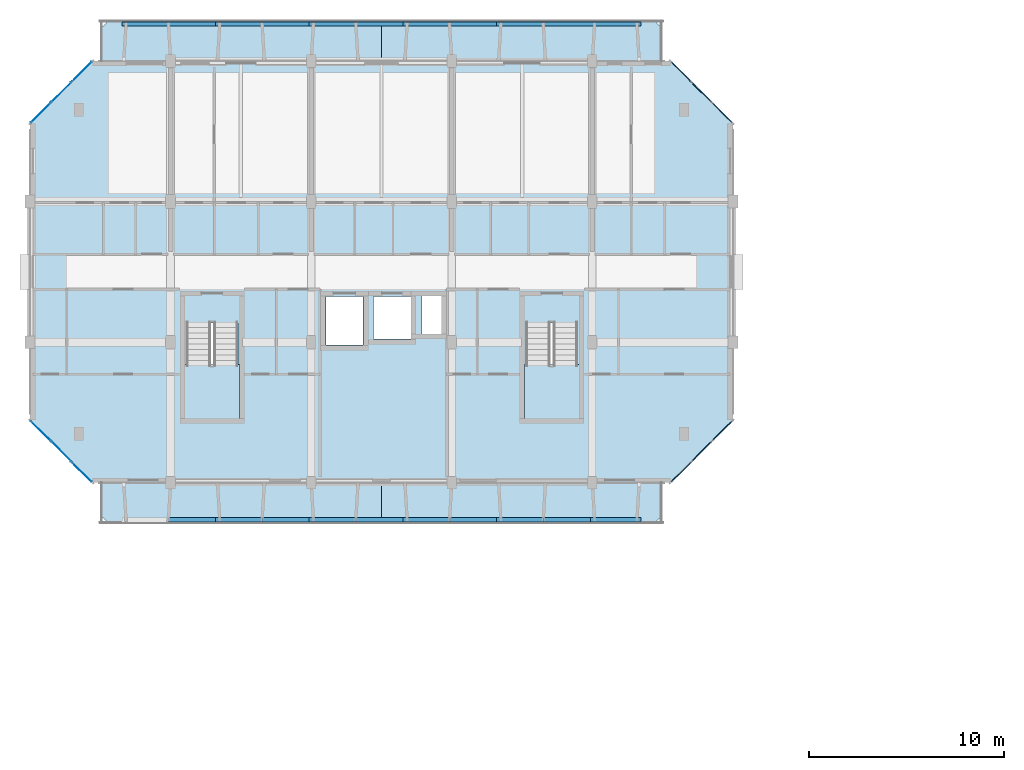
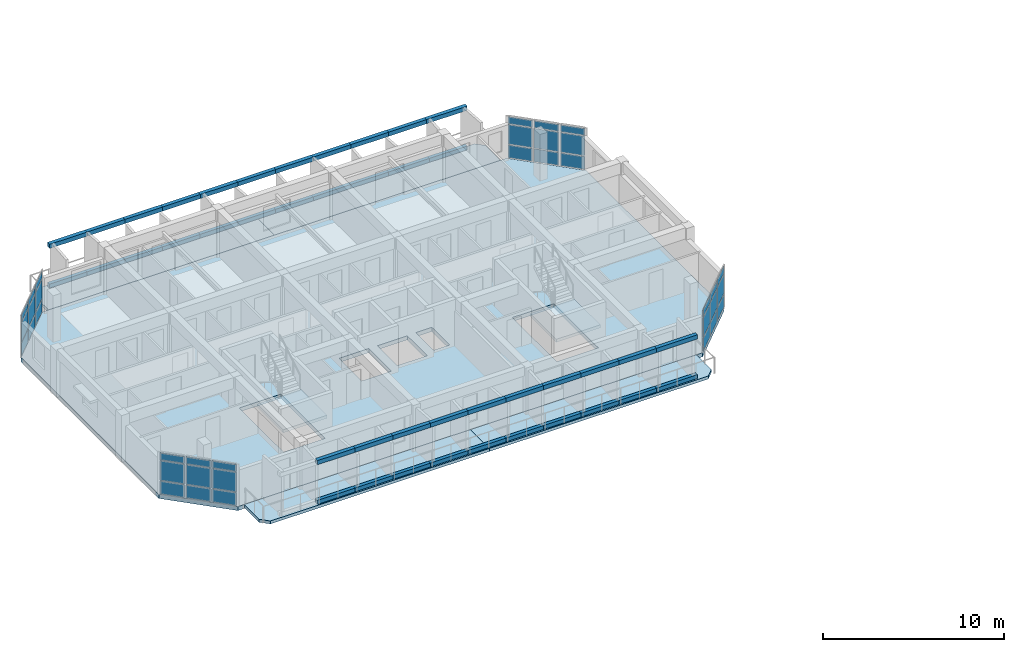
# One storey, part 11 of 43: 78 plates, 7 slabs, 6 elements without a shape of their own.
"""IFC4 building model written with IfcOpenShell, lengths in metres."""

from ifc_helpers import new_model, si_unit, direction, frame, origin, origin_2d, place, context, subcontext, project, spatial, polyline, rectangle, outline, extrude, material, layer, layer_set, type_object, element, aggregate, save


model = new_model("IFC4")

# Units and contexts
model_context = context("Model", 3, precision=1e-05, world=origin(), true_north=direction((0.0, 1.0)))
body_context = subcontext(model_context, "Body", "Model", "MODEL_VIEW")
ifc_project = project(units=[si_unit("LENGTHUNIT", "METRE"), si_unit("AREAUNIT", "SQUARE_METRE"), si_unit("VOLUMEUNIT", "CUBIC_METRE"), si_unit("PLANEANGLEUNIT", "RADIAN"), si_unit("MASSUNIT", "GRAM", prefix="KILO")], contexts=[model_context])

# Site, building, storey
site_placement = place(None, origin())
site = spatial("IfcSite", under=ifc_project, at=site_placement, CompositionType="ELEMENT")
building_placement = place(site_placement, origin())
building = spatial("IfcBuilding", under=site, at=building_placement, Name="Ochrevale Crest", CompositionType="ELEMENT")
storey_placement = place(building_placement, frame((0.0, 0.0, 15.0)))
storey = spatial("IfcBuildingStorey", under=building, at=storey_placement, Name="L04", CompositionType="ELEMENT", Elevation=15.0)

# Curtain wall, plates
ifc_material_1 = material(Name="Anodised aluminium 6063-T5", Category="aluminium")
ifc_layer_1 = layer(ifc_material_1, 0.14990234375)
ifc_layer_set_1 = layer_set([ifc_layer_1], Name="Anodised aluminium 6063-T5")
curtain_wall_type_1 = type_object("IfcCurtainWallType", Name="CW-WG-240x285", PredefinedType="NOTDEFINED", material=ifc_layer_set_1)
curtain_wall_1_placement = place(storey_placement, origin())
curtain_wall_1 = element("IfcCurtainWall", 1, at=curtain_wall_1_placement, inside=storey, type_object=curtain_wall_type_1, Name="Block B L04 chamfered corner wintergarden curtain wall 6", PredefinedType="NOTDEFINED")
ifc_material_2 = material(Name="Double-glazed low-E insulated glass unit", Category="glass")
ifc_layer_2 = layer(ifc_material_2, 0.028076171875)
ifc_layer_set_2 = layer_set([ifc_layer_2], Name="Double-glazed low-E insulated glass unit")
plate_type_1 = type_object("IfcPlateType", Name="CW-PNL-IGU28", PredefinedType="CURTAIN_PANEL", material=ifc_layer_set_2)
plate_1_placement = place(storey_placement, frame((2.6533203125, 93.053466796875, 0.06005859375), z_axis=(0.0, 0.0, 1.0), x_axis=(-0.707106781187, -0.707106781187, 0.0)))
plate_1 = element("IfcPlate", 2, at=plate_1_placement, type_object=plate_type_1, Name="CW15 panel 1.1", PredefinedType="CURTAIN_PANEL", context=body_context, shape_type="SweptSolid", body=[
    extrude(rectangle(XDim=1.39599609375, YDim=0.028076171875, at=origin_2d()), origin(), (0.0, 0.0, 1.0), 0.860107421875),
])
plate_2_placement = place(storey_placement, frame((2.6533203125, 93.053466796875, 0.97998046875), z_axis=(0.0, 0.0, 1.0), x_axis=(-0.707106781187, -0.707106781187, 0.0)))
plate_2 = element("IfcPlate", 3, at=plate_2_placement, type_object=plate_type_1, Name="CW15 panel 1.2", PredefinedType="CURTAIN_PANEL", context=body_context, shape_type="SweptSolid", body=[
    extrude(rectangle(XDim=1.39599609375, YDim=0.028076171875, at=origin_2d()), origin(), (0.0, 0.0, 1.0), 1.31494140625),
])
plate_3_placement = place(storey_placement, frame((2.6533203125, 93.053466796875, 2.35498046875), z_axis=(0.0, 0.0, 1.0), x_axis=(-0.707106781187, -0.707106781187, 0.0)))
plate_3 = element("IfcPlate", 4, at=plate_3_placement, type_object=plate_type_1, Name="CW15 panel 1.3", PredefinedType="CURTAIN_PANEL", context=body_context, shape_type="SweptSolid", body=[
    extrude(rectangle(XDim=1.39599609375, YDim=0.028076171875, at=origin_2d()), origin(), (0.0, 0.0, 1.0), 0.4599609375),
])
plate_4_placement = place(storey_placement, frame((1.60009765625, 92.0, 0.06005859375), z_axis=(0.0, 0.0, 1.0), x_axis=(-0.707106781187, -0.707106781187, 0.0)))
plate_4 = element("IfcPlate", 5, at=plate_4_placement, type_object=plate_type_1, Name="CW15 panel 2.1", PredefinedType="CURTAIN_PANEL", context=body_context, shape_type="SweptSolid", body=[
    extrude(rectangle(XDim=1.43359375, YDim=0.028076171875, at=origin_2d()), origin(), (0.0, 0.0, 1.0), 0.860107421875),
])
plate_5_placement = place(storey_placement, frame((1.60009765625, 92.0, 0.97998046875), z_axis=(0.0, 0.0, 1.0), x_axis=(-0.707106781187, -0.707106781187, 0.0)))
plate_5 = element("IfcPlate", 6, at=plate_5_placement, type_object=plate_type_1, Name="CW15 panel 2.2", PredefinedType="CURTAIN_PANEL", context=body_context, shape_type="SweptSolid", body=[
    extrude(rectangle(XDim=1.43359375, YDim=0.028076171875, at=origin_2d()), origin(), (0.0, 0.0, 1.0), 1.31494140625),
])
plate_6_placement = place(storey_placement, frame((1.60009765625, 92.0, 2.35498046875), z_axis=(0.0, 0.0, 1.0), x_axis=(-0.707106781187, -0.707106781187, 0.0)))
plate_6 = element("IfcPlate", 7, at=plate_6_placement, type_object=plate_type_1, Name="CW15 panel 2.3", PredefinedType="CURTAIN_PANEL", context=body_context, shape_type="SweptSolid", body=[
    extrude(rectangle(XDim=1.43359375, YDim=0.028076171875, at=origin_2d()), origin(), (0.0, 0.0, 1.0), 0.4599609375),
])
plate_7_placement = place(storey_placement, frame((0.546630859375, 90.946533203125, 0.06005859375), z_axis=(0.0, 0.0, 1.0), x_axis=(-0.707106781187, -0.707106781187, 0.0)))
plate_7 = element("IfcPlate", 8, at=plate_7_placement, type_object=plate_type_1, Name="CW15 panel 3.1", PredefinedType="CURTAIN_PANEL", context=body_context, shape_type="SweptSolid", body=[
    extrude(rectangle(XDim=1.39599609375, YDim=0.028076171875, at=origin_2d()), origin(), (0.0, 0.0, 1.0), 0.860107421875),
])
plate_8_placement = place(storey_placement, frame((0.546630859375, 90.946533203125, 0.97998046875), z_axis=(0.0, 0.0, 1.0), x_axis=(-0.707106781187, -0.707106781187, 0.0)))
plate_8 = element("IfcPlate", 9, at=plate_8_placement, type_object=plate_type_1, Name="CW15 panel 3.2", PredefinedType="CURTAIN_PANEL", context=body_context, shape_type="SweptSolid", body=[
    extrude(rectangle(XDim=1.39599609375, YDim=0.028076171875, at=origin_2d()), origin(), (0.0, 0.0, 1.0), 1.31494140625),
])
plate_9_placement = place(storey_placement, frame((0.546630859375, 90.946533203125, 2.35498046875), z_axis=(0.0, 0.0, 1.0), x_axis=(-0.707106781187, -0.707106781187, 0.0)))
plate_9 = element("IfcPlate", 10, at=plate_9_placement, type_object=plate_type_1, Name="CW15 panel 3.3", PredefinedType="CURTAIN_PANEL", context=body_context, shape_type="SweptSolid", body=[
    extrude(rectangle(XDim=1.39599609375, YDim=0.028076171875, at=origin_2d()), origin(), (0.0, 0.0, 1.0), 0.4599609375),
])
aggregate(curtain_wall_1, [plate_1, plate_2, plate_3, plate_4, plate_5, plate_6, plate_7, plate_8, plate_9])

ifc_layer_3 = layer(ifc_material_1, 0.14990234375)
ifc_layer_set_3 = layer_set([ifc_layer_3], Name="Anodised aluminium 6063-T5")
curtain_wall_type_2 = type_object("IfcCurtainWallType", Name="CW-WG-320x285", PredefinedType="NOTDEFINED", material=ifc_layer_set_3)
curtain_wall_2_placement = place(storey_placement, origin())
curtain_wall_2 = element("IfcCurtainWall", 11, at=curtain_wall_2_placement, inside=storey, type_object=curtain_wall_type_2, Name="Block B L04 chamfered corner wintergarden curtain wall 8", PredefinedType="NOTDEFINED")
plate_10_placement = place(storey_placement, frame((0.546630859375, 74.6533203125, 0.06005859375), z_axis=(0.0, 0.0, 1.0), x_axis=(0.707106781187, -0.707106781187, 0.0)))
plate_10 = element("IfcPlate", 12, at=plate_10_placement, type_object=plate_type_1, Name="CW17 panel 1.1", PredefinedType="CURTAIN_PANEL", context=body_context, shape_type="SweptSolid", body=[
    extrude(rectangle(XDim=1.39599609375, YDim=0.028076171875, at=origin_2d()), origin(), (0.0, 0.0, 1.0), 0.860107421875),
])
plate_11_placement = place(storey_placement, frame((0.546630859375, 74.6533203125, 0.97998046875), z_axis=(0.0, 0.0, 1.0), x_axis=(0.707106781187, -0.707106781187, 0.0)))
plate_11 = element("IfcPlate", 13, at=plate_11_placement, type_object=plate_type_1, Name="CW17 panel 1.2", PredefinedType="CURTAIN_PANEL", context=body_context, shape_type="SweptSolid", body=[
    extrude(rectangle(XDim=1.39599609375, YDim=0.028076171875, at=origin_2d()), origin(), (0.0, 0.0, 1.0), 1.31494140625),
])
plate_12_placement = place(storey_placement, frame((0.546630859375, 74.6533203125, 2.35498046875), z_axis=(0.0, 0.0, 1.0), x_axis=(0.707106781187, -0.707106781187, 0.0)))
plate_12 = element("IfcPlate", 14, at=plate_12_placement, type_object=plate_type_1, Name="CW17 panel 1.3", PredefinedType="CURTAIN_PANEL", context=body_context, shape_type="SweptSolid", body=[
    extrude(rectangle(XDim=1.39599609375, YDim=0.028076171875, at=origin_2d()), origin(), (0.0, 0.0, 1.0), 0.4599609375),
])
plate_13_placement = place(storey_placement, frame((1.60009765625, 73.60009765625, 0.06005859375), z_axis=(0.0, 0.0, 1.0), x_axis=(0.707106781187, -0.707106781187, 0.0)))
plate_13 = element("IfcPlate", 15, at=plate_13_placement, type_object=plate_type_1, Name="CW17 panel 2.1", PredefinedType="CURTAIN_PANEL", context=body_context, shape_type="SweptSolid", body=[
    extrude(rectangle(XDim=1.43359375, YDim=0.028076171875, at=origin_2d()), origin(), (0.0, 0.0, 1.0), 0.860107421875),
])
plate_14_placement = place(storey_placement, frame((1.60009765625, 73.60009765625, 0.97998046875), z_axis=(0.0, 0.0, 1.0), x_axis=(0.707106781187, -0.707106781187, 0.0)))
plate_14 = element("IfcPlate", 16, at=plate_14_placement, type_object=plate_type_1, Name="CW17 panel 2.2", PredefinedType="CURTAIN_PANEL", context=body_context, shape_type="SweptSolid", body=[
    extrude(rectangle(XDim=1.43359375, YDim=0.028076171875, at=origin_2d()), origin(), (0.0, 0.0, 1.0), 1.31494140625),
])
plate_15_placement = place(storey_placement, frame((1.60009765625, 73.60009765625, 2.35498046875), z_axis=(0.0, 0.0, 1.0), x_axis=(0.707106781187, -0.707106781187, 0.0)))
plate_15 = element("IfcPlate", 17, at=plate_15_placement, type_object=plate_type_1, Name="CW17 panel 2.3", PredefinedType="CURTAIN_PANEL", context=body_context, shape_type="SweptSolid", body=[
    extrude(rectangle(XDim=1.43359375, YDim=0.028076171875, at=origin_2d()), origin(), (0.0, 0.0, 1.0), 0.4599609375),
])
plate_16_placement = place(storey_placement, frame((2.6533203125, 72.546630859375, 0.06005859375), z_axis=(0.0, 0.0, 1.0), x_axis=(0.707106781187, -0.707106781187, 0.0)))
plate_16 = element("IfcPlate", 18, at=plate_16_placement, type_object=plate_type_1, Name="CW17 panel 3.1", PredefinedType="CURTAIN_PANEL", context=body_context, shape_type="SweptSolid", body=[
    extrude(rectangle(XDim=1.39599609375, YDim=0.028076171875, at=origin_2d()), origin(), (0.0, 0.0, 1.0), 0.860107421875),
])
plate_17_placement = place(storey_placement, frame((2.6533203125, 72.546630859375, 0.97998046875), z_axis=(0.0, 0.0, 1.0), x_axis=(0.707106781187, -0.707106781187, 0.0)))
plate_17 = element("IfcPlate", 19, at=plate_17_placement, type_object=plate_type_1, Name="CW17 panel 3.2", PredefinedType="CURTAIN_PANEL", context=body_context, shape_type="SweptSolid", body=[
    extrude(rectangle(XDim=1.39599609375, YDim=0.028076171875, at=origin_2d()), origin(), (0.0, 0.0, 1.0), 1.31494140625),
])
plate_18_placement = place(storey_placement, frame((2.6533203125, 72.546630859375, 2.35498046875), z_axis=(0.0, 0.0, 1.0), x_axis=(0.707106781187, -0.707106781187, 0.0)))
plate_18 = element("IfcPlate", 20, at=plate_18_placement, type_object=plate_type_1, Name="CW17 panel 3.3", PredefinedType="CURTAIN_PANEL", context=body_context, shape_type="SweptSolid", body=[
    extrude(rectangle(XDim=1.39599609375, YDim=0.028076171875, at=origin_2d()), origin(), (0.0, 0.0, 1.0), 0.4599609375),
])
aggregate(curtain_wall_2, [plate_10, plate_11, plate_12, plate_13, plate_14, plate_15, plate_16, plate_17, plate_18])

ifc_layer_4 = layer(ifc_material_1, 0.14990234375)
ifc_layer_set_4 = layer_set([ifc_layer_4], Name="Anodised aluminium 6063-T5")
curtain_wall_type_3 = type_object("IfcCurtainWallType", Name="CW-WG-280x285", PredefinedType="NOTDEFINED", material=ifc_layer_set_4)
curtain_wall_3_placement = place(storey_placement, origin())
curtain_wall_3 = element("IfcCurtainWall", 21, at=curtain_wall_3_placement, inside=storey, type_object=curtain_wall_type_3, Name="Block B L04 chamfered corner wintergarden curtain wall 2", PredefinedType="NOTDEFINED")
ifc_material_3 = material(Name="Acoustic laminated low-E insulated glass unit", Category="glass")
ifc_layer_5 = layer(ifc_material_3, 0.0380859375)
ifc_layer_set_5 = layer_set([ifc_layer_5], Name="Acoustic laminated low-E insulated glass unit")
plate_type_2 = type_object("IfcPlateType", Name="CW-PNL-IGU38", PredefinedType="CURTAIN_PANEL", material=ifc_layer_set_5)
plate_19_placement = place(storey_placement, frame((33.3466796875, 72.546630859375, 0.06005859375), z_axis=(0.0, 0.0, 1.0), x_axis=(0.707106781187, 0.707106781187, 0.0)))
plate_19 = element("IfcPlate", 22, at=plate_19_placement, type_object=plate_type_2, Name="CW16 panel 1.1", PredefinedType="CURTAIN_PANEL", context=body_context, shape_type="SweptSolid", body=[
    extrude(rectangle(XDim=1.39599609375, YDim=0.0380859375, at=origin_2d()), origin(), (0.0, 0.0, 1.0), 0.860107421875),
])
plate_20_placement = place(storey_placement, frame((33.3466796875, 72.546630859375, 0.97998046875), z_axis=(0.0, 0.0, 1.0), x_axis=(0.707106781187, 0.707106781187, 0.0)))
plate_20 = element("IfcPlate", 23, at=plate_20_placement, type_object=plate_type_2, Name="CW16 panel 1.2", PredefinedType="CURTAIN_PANEL", context=body_context, shape_type="SweptSolid", body=[
    extrude(rectangle(XDim=1.39599609375, YDim=0.0380859375, at=origin_2d()), origin(), (0.0, 0.0, 1.0), 1.31494140625),
])
plate_21_placement = place(storey_placement, frame((33.3466796875, 72.546630859375, 2.35498046875), z_axis=(0.0, 0.0, 1.0), x_axis=(0.707106781187, 0.707106781187, 0.0)))
plate_21 = element("IfcPlate", 24, at=plate_21_placement, type_object=plate_type_2, Name="CW16 panel 1.3", PredefinedType="CURTAIN_PANEL", context=body_context, shape_type="SweptSolid", body=[
    extrude(rectangle(XDim=1.39599609375, YDim=0.0380859375, at=origin_2d()), origin(), (0.0, 0.0, 1.0), 0.4599609375),
])
plate_22_placement = place(storey_placement, frame((34.39990234375, 73.60009765625, 0.06005859375), z_axis=(0.0, 0.0, 1.0), x_axis=(0.707106781187, 0.707106781187, 0.0)))
plate_22 = element("IfcPlate", 25, at=plate_22_placement, type_object=plate_type_2, Name="CW16 panel 2.1", PredefinedType="CURTAIN_PANEL", context=body_context, shape_type="SweptSolid", body=[
    extrude(rectangle(XDim=1.43359375, YDim=0.0380859375, at=origin_2d()), origin(), (0.0, 0.0, 1.0), 0.860107421875),
])
plate_23_placement = place(storey_placement, frame((34.39990234375, 73.60009765625, 0.97998046875), z_axis=(0.0, 0.0, 1.0), x_axis=(0.707106781187, 0.707106781187, 0.0)))
plate_23 = element("IfcPlate", 26, at=plate_23_placement, type_object=plate_type_2, Name="CW16 panel 2.2", PredefinedType="CURTAIN_PANEL", context=body_context, shape_type="SweptSolid", body=[
    extrude(rectangle(XDim=1.43359375, YDim=0.0380859375, at=origin_2d()), origin(), (0.0, 0.0, 1.0), 1.31494140625),
])
plate_24_placement = place(storey_placement, frame((34.39990234375, 73.60009765625, 2.35498046875), z_axis=(0.0, 0.0, 1.0), x_axis=(0.707106781187, 0.707106781187, 0.0)))
plate_24 = element("IfcPlate", 27, at=plate_24_placement, type_object=plate_type_2, Name="CW16 panel 2.3", PredefinedType="CURTAIN_PANEL", context=body_context, shape_type="SweptSolid", body=[
    extrude(rectangle(XDim=1.43359375, YDim=0.0380859375, at=origin_2d()), origin(), (0.0, 0.0, 1.0), 0.4599609375),
])
plate_25_placement = place(storey_placement, frame((35.453369140625, 74.6533203125, 0.06005859375), z_axis=(0.0, 0.0, 1.0), x_axis=(0.707106781187, 0.707106781187, 0.0)))
plate_25 = element("IfcPlate", 28, at=plate_25_placement, type_object=plate_type_2, Name="CW16 panel 3.1", PredefinedType="CURTAIN_PANEL", context=body_context, shape_type="SweptSolid", body=[
    extrude(rectangle(XDim=1.39599609375, YDim=0.0380859375, at=origin_2d()), origin(), (0.0, 0.0, 1.0), 0.860107421875),
])
plate_26_placement = place(storey_placement, frame((35.453369140625, 74.6533203125, 0.97998046875), z_axis=(0.0, 0.0, 1.0), x_axis=(0.707106781187, 0.707106781187, 0.0)))
plate_26 = element("IfcPlate", 29, at=plate_26_placement, type_object=plate_type_2, Name="CW16 panel 3.2", PredefinedType="CURTAIN_PANEL", context=body_context, shape_type="SweptSolid", body=[
    extrude(rectangle(XDim=1.39599609375, YDim=0.0380859375, at=origin_2d()), origin(), (0.0, 0.0, 1.0), 1.31494140625),
])
plate_27_placement = place(storey_placement, frame((35.453369140625, 74.6533203125, 2.35498046875), z_axis=(0.0, 0.0, 1.0), x_axis=(0.707106781187, 0.707106781187, 0.0)))
plate_27 = element("IfcPlate", 30, at=plate_27_placement, type_object=plate_type_2, Name="CW16 panel 3.3", PredefinedType="CURTAIN_PANEL", context=body_context, shape_type="SweptSolid", body=[
    extrude(rectangle(XDim=1.39599609375, YDim=0.0380859375, at=origin_2d()), origin(), (0.0, 0.0, 1.0), 0.4599609375),
])
aggregate(curtain_wall_3, [plate_19, plate_20, plate_21, plate_22, plate_23, plate_24, plate_25, plate_26, plate_27])

ifc_layer_6 = layer(ifc_material_1, 0.14990234375)
ifc_layer_set_6 = layer_set([ifc_layer_6], Name="Anodised aluminium 6063-T5")
curtain_wall_type_4 = type_object("IfcCurtainWallType", Name="CW-WG-360x285", PredefinedType="NOTDEFINED", material=ifc_layer_set_6)
curtain_wall_4_placement = place(storey_placement, origin())
curtain_wall_4 = element("IfcCurtainWall", 31, at=curtain_wall_4_placement, inside=storey, type_object=curtain_wall_type_4, Name="Block B L04 chamfered corner wintergarden curtain wall 4", PredefinedType="NOTDEFINED")
plate_28_placement = place(storey_placement, frame((35.453369140625, 90.946533203125, 0.06005859375), z_axis=(0.0, 0.0, 1.0), x_axis=(-0.707106781187, 0.707106781187, 0.0)))
plate_28 = element("IfcPlate", 32, at=plate_28_placement, type_object=plate_type_2, Name="CW18 panel 1.1", PredefinedType="CURTAIN_PANEL", context=body_context, shape_type="SweptSolid", body=[
    extrude(rectangle(XDim=1.39599609375, YDim=0.0380859375, at=origin_2d()), origin(), (0.0, 0.0, 1.0), 0.860107421875),
])
plate_29_placement = place(storey_placement, frame((35.453369140625, 90.946533203125, 0.97998046875), z_axis=(0.0, 0.0, 1.0), x_axis=(-0.707106781187, 0.707106781187, 0.0)))
plate_29 = element("IfcPlate", 33, at=plate_29_placement, type_object=plate_type_2, Name="CW18 panel 1.2", PredefinedType="CURTAIN_PANEL", context=body_context, shape_type="SweptSolid", body=[
    extrude(rectangle(XDim=1.39599609375, YDim=0.0380859375, at=origin_2d()), origin(), (0.0, 0.0, 1.0), 1.31494140625),
])
plate_30_placement = place(storey_placement, frame((35.453369140625, 90.946533203125, 2.35498046875), z_axis=(0.0, 0.0, 1.0), x_axis=(-0.707106781187, 0.707106781187, 0.0)))
plate_30 = element("IfcPlate", 34, at=plate_30_placement, type_object=plate_type_2, Name="CW18 panel 1.3", PredefinedType="CURTAIN_PANEL", context=body_context, shape_type="SweptSolid", body=[
    extrude(rectangle(XDim=1.39599609375, YDim=0.0380859375, at=origin_2d()), origin(), (0.0, 0.0, 1.0), 0.4599609375),
])
plate_31_placement = place(storey_placement, frame((34.39990234375, 92.0, 0.06005859375), z_axis=(0.0, 0.0, 1.0), x_axis=(-0.707106781187, 0.707106781187, 0.0)))
plate_31 = element("IfcPlate", 35, at=plate_31_placement, type_object=plate_type_2, Name="CW18 panel 2.1", PredefinedType="CURTAIN_PANEL", context=body_context, shape_type="SweptSolid", body=[
    extrude(rectangle(XDim=1.43359375, YDim=0.0380859375, at=origin_2d()), origin(), (0.0, 0.0, 1.0), 0.860107421875),
])
plate_32_placement = place(storey_placement, frame((34.39990234375, 92.0, 0.97998046875), z_axis=(0.0, 0.0, 1.0), x_axis=(-0.707106781187, 0.707106781187, 0.0)))
plate_32 = element("IfcPlate", 36, at=plate_32_placement, type_object=plate_type_2, Name="CW18 panel 2.2", PredefinedType="CURTAIN_PANEL", context=body_context, shape_type="SweptSolid", body=[
    extrude(rectangle(XDim=1.43359375, YDim=0.0380859375, at=origin_2d()), origin(), (0.0, 0.0, 1.0), 1.31494140625),
])
plate_33_placement = place(storey_placement, frame((34.39990234375, 92.0, 2.35498046875), z_axis=(0.0, 0.0, 1.0), x_axis=(-0.707106781187, 0.707106781187, 0.0)))
plate_33 = element("IfcPlate", 37, at=plate_33_placement, type_object=plate_type_2, Name="CW18 panel 2.3", PredefinedType="CURTAIN_PANEL", context=body_context, shape_type="SweptSolid", body=[
    extrude(rectangle(XDim=1.43359375, YDim=0.0380859375, at=origin_2d()), origin(), (0.0, 0.0, 1.0), 0.4599609375),
])
plate_34_placement = place(storey_placement, frame((33.3466796875, 93.053466796875, 0.06005859375), z_axis=(0.0, 0.0, 1.0), x_axis=(-0.707106781187, 0.707106781187, 0.0)))
plate_34 = element("IfcPlate", 38, at=plate_34_placement, type_object=plate_type_2, Name="CW18 panel 3.1", PredefinedType="CURTAIN_PANEL", context=body_context, shape_type="SweptSolid", body=[
    extrude(rectangle(XDim=1.39599609375, YDim=0.0380859375, at=origin_2d()), origin(), (0.0, 0.0, 1.0), 0.860107421875),
])
plate_35_placement = place(storey_placement, frame((33.3466796875, 93.053466796875, 0.97998046875), z_axis=(0.0, 0.0, 1.0), x_axis=(-0.707106781187, 0.707106781187, 0.0)))
plate_35 = element("IfcPlate", 39, at=plate_35_placement, type_object=plate_type_2, Name="CW18 panel 3.2", PredefinedType="CURTAIN_PANEL", context=body_context, shape_type="SweptSolid", body=[
    extrude(rectangle(XDim=1.39599609375, YDim=0.0380859375, at=origin_2d()), origin(), (0.0, 0.0, 1.0), 1.31494140625),
])
plate_36_placement = place(storey_placement, frame((33.3466796875, 93.053466796875, 2.35498046875), z_axis=(0.0, 0.0, 1.0), x_axis=(-0.707106781187, 0.707106781187, 0.0)))
plate_36 = element("IfcPlate", 40, at=plate_36_placement, type_object=plate_type_2, Name="CW18 panel 3.3", PredefinedType="CURTAIN_PANEL", context=body_context, shape_type="SweptSolid", body=[
    extrude(rectangle(XDim=1.39599609375, YDim=0.0380859375, at=origin_2d()), origin(), (0.0, 0.0, 1.0), 0.4599609375),
])
aggregate(curtain_wall_4, [plate_28, plate_29, plate_30, plate_31, plate_32, plate_33, plate_34, plate_35, plate_36])

# Plates
ifc_material_4 = material(Name="Precast concrete C40/50", Category="concrete")
ifc_layer_7 = layer(ifc_material_4, 0.06005859375)
ifc_layer_set_7 = layer_set([ifc_layer_7], Name="Precast concrete C40/50")
plate_type_3 = type_object("IfcPlateType", Name="PLT-HC-HEAD-60", PredefinedType="USERDEFINED", material=ifc_layer_set_7)
for number, where, z_axis, x_axis, name in (
    (41, (8.39990234375, 70.10009765625, 2.669921875), (0.0, 0.0, 1.0), (1.0, 0.0, 0.0), "Block B L04 S honeycomb arched lintel fascia 2"),
    (42, (10.800048828125, 70.10009765625, 2.669921875), (0.0, 0.0, 1.0), (1.0, 0.0, 0.0), "Block B L04 S honeycomb arched lintel fascia 3"),
    (43, (13.199951171875, 70.10009765625, 2.669921875), (0.0, 0.0, 1.0), (1.0, 0.0, 0.0), "Block B L04 S honeycomb arched lintel fascia 4"),
    (44, (15.60009765625, 70.10009765625, 2.669921875), (0.0, 0.0, 1.0), (1.0, 0.0, 0.0), "Block B L04 S honeycomb arched lintel fascia 5"),
    (45, (18.0, 70.10009765625, 2.669921875), (0.0, 0.0, 1.0), (1.0, 0.0, 0.0), "Block B L04 S honeycomb arched lintel fascia 6"),
    (46, (20.39990234375, 70.10009765625, 2.669921875), (0.0, 0.0, 1.0), (1.0, 0.0, 0.0), "Block B L04 S honeycomb arched lintel fascia 7"),
    (47, (22.800048828125, 70.10009765625, 2.669921875), (0.0, 0.0, 1.0), (1.0, 0.0, 0.0), "Block B L04 S honeycomb arched lintel fascia 8"),
    (48, (25.199951171875, 70.10009765625, 2.669921875), (0.0, 0.0, 1.0), (1.0, 0.0, 0.0), "Block B L04 S honeycomb arched lintel fascia 9"),
    (49, (27.60009765625, 70.10009765625, 2.669921875), (0.0, 0.0, 1.0), (1.0, 0.0, 0.0), "Block B L04 S honeycomb arched lintel fascia 10"),
    (50, (30.0, 70.10009765625, 2.669921875), (0.0, 0.0, 1.0), (1.0, 0.0, 0.0), "Block B L04 S honeycomb arched lintel fascia 11"),
    (51, (6.0, 95.5, 2.669921875), (0.0, 0.0, 1.0), (1.0, 0.0, 0.0), "Block B L04 N honeycomb arched lintel fascia 1"),
    (52, (8.39990234375, 95.5, 2.669921875), (0.0, 0.0, 1.0), (1.0, 0.0, 0.0), "Block B L04 N honeycomb arched lintel fascia 2"),
    (53, (10.800048828125, 95.5, 2.669921875), (0.0, 0.0, 1.0), (1.0, 0.0, 0.0), "Block B L04 N honeycomb arched lintel fascia 3"),
    (54, (13.199951171875, 95.5, 2.669921875), (0.0, 0.0, 1.0), (1.0, 0.0, 0.0), "Block B L04 N honeycomb arched lintel fascia 4"),
    (55, (15.60009765625, 95.5, 2.669921875), (0.0, 0.0, 1.0), (1.0, 0.0, 0.0), "Block B L04 N honeycomb arched lintel fascia 5"),
    (56, (18.0, 95.5, 2.669921875), (0.0, 0.0, 1.0), (1.0, 0.0, 0.0), "Block B L04 N honeycomb arched lintel fascia 6"),
    (57, (20.39990234375, 95.5, 2.669921875), (0.0, 0.0, 1.0), (1.0, 0.0, 0.0), "Block B L04 N honeycomb arched lintel fascia 7"),
    (58, (22.800048828125, 95.5, 2.669921875), (0.0, 0.0, 1.0), (1.0, 0.0, 0.0), "Block B L04 N honeycomb arched lintel fascia 8"),
    (59, (25.199951171875, 95.5, 2.669921875), (0.0, 0.0, 1.0), (1.0, 0.0, 0.0), "Block B L04 N honeycomb arched lintel fascia 9"),
    (60, (27.60009765625, 95.5, 2.669921875), (0.0, 0.0, 1.0), (1.0, 0.0, 0.0), "Block B L04 N honeycomb arched lintel fascia 10"),
    (61, (30.0, 95.5, 2.669921875), (0.0, 0.0, 1.0), (1.0, 0.0, 0.0), "Block B L04 N honeycomb arched lintel fascia 11"),
):
    element("IfcPlate", number, at=place(storey_placement, frame(where, z_axis=z_axis, x_axis=x_axis)), inside=storey, type_object=plate_type_3, Name=name, ObjectType="FACADE FASCIA PLATE", PredefinedType="USERDEFINED", context=body_context, shape_type="SweptSolid", body=[
        extrude(rectangle(XDim=2.60009765625, YDim=0.239990234375, at=origin_2d()), origin(), (0.0, 0.0, 1.0), 0.280029296875),
    ])
ifc_layer_8 = layer(ifc_material_4, 0.044921875)
ifc_layer_set_8 = layer_set([ifc_layer_8], Name="Precast concrete C40/50")
plate_type_4 = type_object("IfcPlateType", Name="PLT-HC-SILL-45", PredefinedType="USERDEFINED", material=ifc_layer_set_8)
for number, where, z_axis, x_axis, name in (
    (62, (8.39990234375, 70.10009765625, 0.0), (0.0, 0.0, 1.0), (1.0, 0.0, 0.0), "Block B L04 S honeycomb sill coping plate 2"),
    (63, (10.800048828125, 70.10009765625, 0.0), (0.0, 0.0, 1.0), (1.0, 0.0, 0.0), "Block B L04 S honeycomb sill coping plate 3"),
    (64, (13.199951171875, 70.10009765625, 0.0), (0.0, 0.0, 1.0), (1.0, 0.0, 0.0), "Block B L04 S honeycomb sill coping plate 4"),
    (65, (15.60009765625, 70.10009765625, 0.0), (0.0, 0.0, 1.0), (1.0, 0.0, 0.0), "Block B L04 S honeycomb sill coping plate 5"),
    (66, (18.0, 70.10009765625, 0.0), (0.0, 0.0, 1.0), (1.0, 0.0, 0.0), "Block B L04 S honeycomb sill coping plate 6"),
    (67, (20.39990234375, 70.10009765625, 0.0), (0.0, 0.0, 1.0), (1.0, 0.0, 0.0), "Block B L04 S honeycomb sill coping plate 7"),
    (68, (22.800048828125, 70.10009765625, 0.0), (0.0, 0.0, 1.0), (1.0, 0.0, 0.0), "Block B L04 S honeycomb sill coping plate 8"),
    (69, (25.199951171875, 70.10009765625, 0.0), (0.0, 0.0, 1.0), (1.0, 0.0, 0.0), "Block B L04 S honeycomb sill coping plate 9"),
    (70, (27.60009765625, 70.10009765625, 0.0), (0.0, 0.0, 1.0), (1.0, 0.0, 0.0), "Block B L04 S honeycomb sill coping plate 10"),
    (71, (30.0, 70.10009765625, 0.0), (0.0, 0.0, 1.0), (1.0, 0.0, 0.0), "Block B L04 S honeycomb sill coping plate 11"),
    (72, (6.0, 95.5, 0.0), (0.0, 0.0, 1.0), (1.0, 0.0, 0.0), "Block B L04 N honeycomb sill coping plate 1"),
    (73, (8.39990234375, 95.5, 0.0), (0.0, 0.0, 1.0), (1.0, 0.0, 0.0), "Block B L04 N honeycomb sill coping plate 2"),
    (74, (10.800048828125, 95.5, 0.0), (0.0, 0.0, 1.0), (1.0, 0.0, 0.0), "Block B L04 N honeycomb sill coping plate 3"),
    (75, (13.199951171875, 95.5, 0.0), (0.0, 0.0, 1.0), (1.0, 0.0, 0.0), "Block B L04 N honeycomb sill coping plate 4"),
    (76, (15.60009765625, 95.5, 0.0), (0.0, 0.0, 1.0), (1.0, 0.0, 0.0), "Block B L04 N honeycomb sill coping plate 5"),
    (77, (18.0, 95.5, 0.0), (0.0, 0.0, 1.0), (1.0, 0.0, 0.0), "Block B L04 N honeycomb sill coping plate 6"),
    (78, (20.39990234375, 95.5, 0.0), (0.0, 0.0, 1.0), (1.0, 0.0, 0.0), "Block B L04 N honeycomb sill coping plate 7"),
    (79, (22.800048828125, 95.5, 0.0), (0.0, 0.0, 1.0), (1.0, 0.0, 0.0), "Block B L04 N honeycomb sill coping plate 8"),
    (80, (25.199951171875, 95.5, 0.0), (0.0, 0.0, 1.0), (1.0, 0.0, 0.0), "Block B L04 N honeycomb sill coping plate 9"),
    (81, (27.60009765625, 95.5, 0.0), (0.0, 0.0, 1.0), (1.0, 0.0, 0.0), "Block B L04 N honeycomb sill coping plate 10"),
    (82, (30.0, 95.5, 0.0), (0.0, 0.0, 1.0), (1.0, 0.0, 0.0), "Block B L04 N honeycomb sill coping plate 11"),
):
    element("IfcPlate", number, at=place(storey_placement, frame(where, z_axis=z_axis, x_axis=x_axis)), inside=storey, type_object=plate_type_4, Name=name, ObjectType="SILL COPING PLATE", PredefinedType="USERDEFINED", context=body_context, shape_type="SweptSolid", body=[
        extrude(rectangle(XDim=2.60009765625, YDim=0.219970703125, at=origin_2d()), origin(), (0.0, 0.0, 1.0), 0.260009765625),
    ])

# Slabs
ifc_layer_9 = layer(ifc_material_4, 0.199951171875)
ifc_layer_set_9 = layer_set([ifc_layer_9], Name="Precast concrete C40/50")
slab_type_1 = type_object("IfcSlabType", Name="SLB-BAL-200", PredefinedType="FLOOR", material=ifc_layer_set_9)
slab_1_placement = place(storey_placement, frame((0.0, 0.0, -0.199951171875)))
element("IfcSlab", 83, at=slab_1_placement, inside=storey, type_object=slab_type_1, Name="Block B L04 S1 precast loggia balcony slab", PredefinedType="FLOOR", context=body_context, shape_type="SweptSolid", body=[
    extrude(outline(polyline([(4.050048828125, 69.89990234375), (18.0, 69.89990234375), (18.0, 72.0), (3.60009765625, 72.0), (3.60009765625, 70.35009765625), (4.050048828125, 69.89990234375)])), origin(), (0.0, 0.0, 1.0), 0.199951171875),
])
slab_2_placement = place(storey_placement, frame((0.0, 0.0, -0.199951171875)))
element("IfcSlab", 84, at=slab_2_placement, inside=storey, type_object=slab_type_1, Name="Block B L04 S2 precast loggia balcony slab", PredefinedType="FLOOR", context=body_context, shape_type="SweptSolid", body=[
    extrude(outline(polyline([(18.0, 69.89990234375), (31.949951171875, 69.89990234375), (32.39990234375, 70.35009765625), (32.39990234375, 72.0), (18.0, 72.0), (18.0, 69.89990234375)])), origin(), (0.0, 0.0, 1.0), 0.199951171875),
])
slab_3_placement = place(storey_placement, frame((0.0, 0.0, -0.199951171875)))
element("IfcSlab", 85, at=slab_3_placement, inside=storey, type_object=slab_type_1, Name="Block B L04 N1 precast loggia balcony slab", PredefinedType="FLOOR", context=body_context, shape_type="SweptSolid", body=[
    extrude(outline(polyline([(3.60009765625, 93.60009765625), (18.0, 93.60009765625), (18.0, 95.699951171875), (4.050048828125, 95.699951171875), (3.60009765625, 95.25), (3.60009765625, 93.60009765625)])), origin(), (0.0, 0.0, 1.0), 0.199951171875),
])
slab_4_placement = place(storey_placement, frame((0.0, 0.0, -0.199951171875)))
element("IfcSlab", 86, at=slab_4_placement, inside=storey, type_object=slab_type_1, Name="Block B L04 N2 precast loggia balcony slab", PredefinedType="FLOOR", context=body_context, shape_type="SweptSolid", body=[
    extrude(outline(polyline([(18.0, 93.60009765625), (32.39990234375, 93.60009765625), (32.39990234375, 95.25), (31.949951171875, 95.699951171875), (18.0, 95.699951171875), (18.0, 93.60009765625)])), origin(), (0.0, 0.0, 1.0), 0.199951171875),
])
ifc_layer_10 = layer(ifc_material_4, 0.27490234375)
ifc_layer_set_10 = layer_set([ifc_layer_10], Name="Precast concrete C40/50")
slab_type_2 = type_object("IfcSlabType", Name="SLB-RES-275", PredefinedType="FLOOR", material=ifc_layer_set_10)
slab_5_placement = place(storey_placement, frame((0.0, 0.0, -0.27490234375)))
element("IfcSlab", 87, at=slab_5_placement, inside=storey, type_object=slab_type_2, Name="Block B L04 composite hollowcore floor slab", PredefinedType="FLOOR", context=body_context, shape_type="SweptSolid", body=[
    extrude(outline(polyline([(3.199951171875, 72.0), (32.800048828125, 72.0), (36.0, 75.199951171875), (36.0, 90.39990234375), (32.800048828125, 93.60009765625), (3.199951171875, 93.60009765625), (0.0, 90.39990234375), (0.0, 75.199951171875), (3.199951171875, 72.0)]), holes=[polyline([(8.0, 80.175048828125), (8.0, 75.27490234375), (10.64990234375, 75.27490234375), (10.64990234375, 80.175048828125), (8.0, 80.175048828125)]), polyline([(25.39990234375, 80.175048828125), (25.39990234375, 75.27490234375), (28.050048828125, 75.27490234375), (28.050048828125, 80.175048828125), (25.39990234375, 80.175048828125)]), polyline([(15.14990234375, 79.050048828125), (17.050048828125, 79.050048828125), (17.050048828125, 81.550048828125), (15.14990234375, 81.550048828125), (15.14990234375, 79.050048828125)]), polyline([(17.60009765625, 79.35009765625), (19.5, 79.35009765625), (19.5, 81.550048828125), (17.60009765625, 81.550048828125), (17.60009765625, 79.35009765625)]), polyline([(20.070068359375, 79.6201171875), (21.080078125, 79.6201171875), (21.080078125, 81.580078125), (20.070068359375, 81.580078125), (20.070068359375, 79.6201171875)])]), origin(), (0.0, 0.0, 1.0), 0.27490234375),
])

# Stair, slab
stair_type = type_object("IfcStairType", Name="ST-CORE-DOG", PredefinedType="HALF_TURN_STAIR", material=ifc_material_4)
stair_1_placement = place(storey_placement, origin())
stair_1 = element("IfcStair", 88, at=stair_1_placement, inside=storey, type_object=stair_type, Name="L04 Block B Fire Stair 1", PredefinedType="HALF_TURN_STAIR")
ifc_layer_11 = layer(ifc_material_4, 0.199951171875)
ifc_layer_set_11 = layer_set([ifc_layer_11], Name="Precast concrete C40/50")
slab_type_3 = type_object("IfcSlabType", Name="SLB-ST-LAND", PredefinedType="LANDING", material=ifc_layer_set_11)
slab_6_placement = place(storey_placement, frame((0.0, 0.0, 1.375)))
slab_6 = element("IfcSlab", 89, at=slab_6_placement, type_object=slab_type_3, Name="ST-B1 landing 1", PredefinedType="LANDING", context=body_context, shape_type="SweptSolid", body=[
    extrude(outline(polyline([(7.919921875, 78.06494140625), (7.919921875, 75.195068359375), (10.72998046875, 75.195068359375), (10.72998046875, 78.06494140625), (7.919921875, 78.06494140625)])), origin(), (0.0, 0.0, 1.0), 0.199951171875),
])
aggregate(stair_1, [slab_6])

stair_2_placement = place(storey_placement, origin())
stair_2 = element("IfcStair", 90, at=stair_2_placement, inside=storey, type_object=stair_type, Name="L04 Block B Fire Stair 2", PredefinedType="HALF_TURN_STAIR")
slab_7_placement = place(storey_placement, frame((0.0, 0.0, 1.375)))
slab_7 = element("IfcSlab", 91, at=slab_7_placement, type_object=slab_type_3, Name="ST-B2 landing 1", PredefinedType="LANDING", context=body_context, shape_type="SweptSolid", body=[
    extrude(outline(polyline([(25.320068359375, 78.06494140625), (25.320068359375, 75.195068359375), (28.1298828125, 75.195068359375), (28.1298828125, 78.06494140625), (25.320068359375, 78.06494140625)])), origin(), (0.0, 0.0, 1.0), 0.199951171875),
])
aggregate(stair_2, [slab_7])

save(model, "model.ifc")
